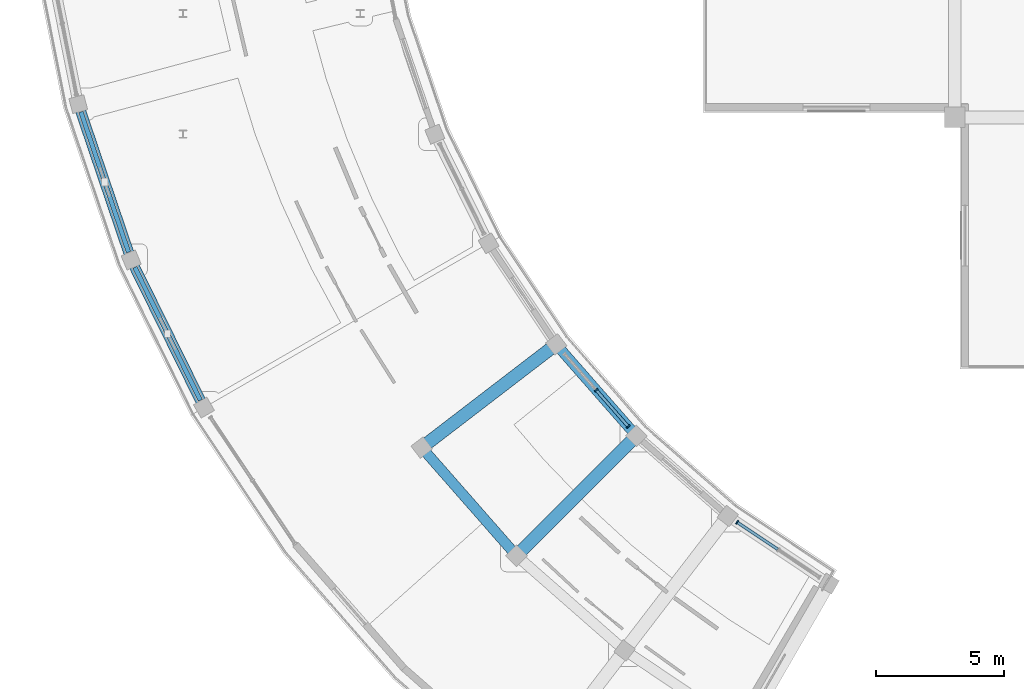
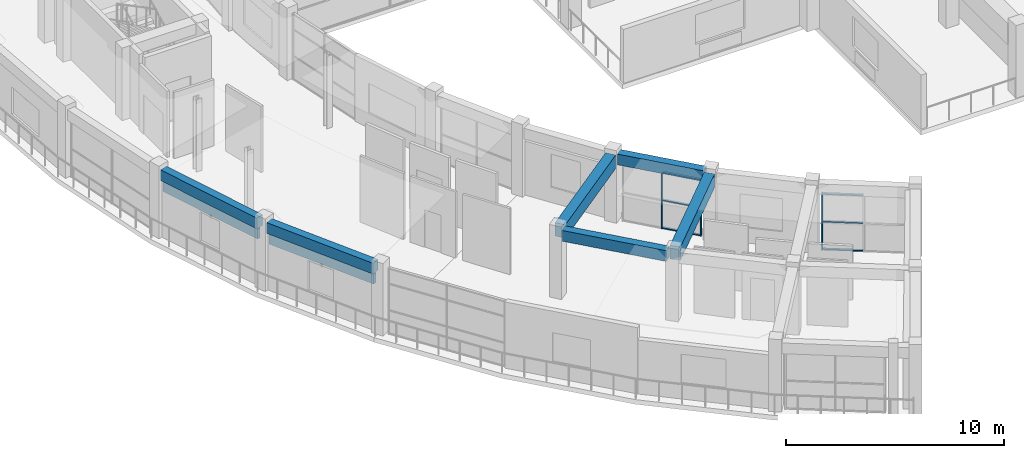
# One storey, part 13 of 70: 11 members, 6 beams, 2 elements without a shape of their own.
"""IFC4 building model written with IfcOpenShell, lengths in metres."""

from ifc_helpers import new_model, si_unit, direction, frame, origin, origin_2d, place, context, subcontext, project, spatial, rectangle, extrude, material, material_profile, profile_set, type_object, element, aggregate, save


model = new_model("IFC4")

# Units and contexts
model_context = context("Model", 3, precision=1e-05, world=origin(), true_north=direction((0.0, 1.0)))
body_context = subcontext(model_context, "Body", "Model", "MODEL_VIEW")
ifc_project = project(units=[si_unit("LENGTHUNIT", "METRE"), si_unit("AREAUNIT", "SQUARE_METRE"), si_unit("VOLUMEUNIT", "CUBIC_METRE"), si_unit("PLANEANGLEUNIT", "RADIAN"), si_unit("MASSUNIT", "GRAM", prefix="KILO")], contexts=[model_context])

# Site, building, storey
site_placement = place(None, origin())
site = spatial("IfcSite", under=ifc_project, at=site_placement, CompositionType="ELEMENT")
building_placement = place(site_placement, origin())
building = spatial("IfcBuilding", under=site, at=building_placement, Name="Saryqyr Civic Hall", CompositionType="ELEMENT")
storey_placement = place(building_placement, frame((0.0, 0.0, 13.199951171875)))
storey = spatial("IfcBuildingStorey", under=building, at=storey_placement, Name="L03", CompositionType="ELEMENT", Elevation=13.199951171875)

# Curtain wall, members
ifc_material_1 = material(Name="Anodised aluminium and triple low-E glass", Category="aluminium")
curtain_wall_type_1 = type_object("IfcCurtainWallType", Name="ENV-CW-STD-27", PredefinedType="NOTDEFINED", material=ifc_material_1)
curtain_wall_1_placement = place(storey_placement, origin())
curtain_wall_1 = element("IfcCurtainWall", 1, at=curtain_wall_1_placement, inside=storey, type_object=curtain_wall_type_1, Name="Curtain wall V4-CWI-L03-07", PredefinedType="NOTDEFINED")
ifc_material_2 = material(Name="Anodised aluminium", Category="aluminium")
ifc_material_profile_1 = material_profile(ifc_material_2, rectangle(XDim=0.06005859375, YDim=0.159912109375, at=origin_2d()), Name="ALU MULLION 60x160")
ifc_profile_set_1 = profile_set([ifc_material_profile_1], Name="Anodised aluminium")
member_type_1 = type_object("IfcMemberType", Name="ENV-CW-MUL-180", PredefinedType="MULLION", material=ifc_profile_set_1)
member_1_placement = place(storey_placement, frame((29.841552734375, 60.182861328125, 0.0), z_axis=(0.0, 0.0, 1.0), x_axis=(0.65933402319, -0.751850148543, 0.0)))
member_1 = element("IfcMember", 2, at=member_1_placement, type_object=member_type_1, Name="CW-27 mullion 2", PredefinedType="MULLION", context=body_context, shape_type="SweptSolid", body=[
    extrude(rectangle(XDim=0.06005859375, YDim=0.159912109375, at=origin_2d()), origin(), (0.0, 0.0, 1.0), 3.1650390625),
])
member_2_placement = place(storey_placement, frame((31.084716796875, 58.76513671875, 0.0), z_axis=(0.0, 0.0, 1.0), x_axis=(0.65933402319, -0.751850148543, 0.0)))
member_2 = element("IfcMember", 3, at=member_2_placement, type_object=member_type_1, Name="CW-27 mullion 3", PredefinedType="MULLION", context=body_context, shape_type="SweptSolid", body=[
    extrude(rectangle(XDim=0.06005859375, YDim=0.159912109375, at=origin_2d()), origin(), (0.0, 0.0, 1.0), 3.1650390625),
])

# Curtain wall, member
curtain_wall_type_2 = type_object("IfcCurtainWallType", Name="ENV-CW-STD-25", PredefinedType="NOTDEFINED", material=ifc_material_1)
curtain_wall_2_placement = place(storey_placement, origin())
curtain_wall_2 = element("IfcCurtainWall", 4, at=curtain_wall_2_placement, inside=storey, type_object=curtain_wall_type_2, Name="Curtain wall V4-CWI-L03-09", PredefinedType="NOTDEFINED")
member_3_placement = place(storey_placement, frame((35.32763671875, 55.03662109375, 0.0), z_axis=(0.0, 0.0, 1.0), x_axis=(0.831480397179, -0.555554091972, 0.0)))
member_3 = element("IfcMember", 5, at=member_3_placement, type_object=member_type_1, Name="CW-25 mullion 1", PredefinedType="MULLION", context=body_context, shape_type="SweptSolid", body=[
    extrude(rectangle(XDim=0.06005859375, YDim=0.159912109375, at=origin_2d()), origin(), (0.0, 0.0, 1.0), 3.1650390625),
])

# Member
ifc_material_profile_2 = material_profile(ifc_material_2, rectangle(XDim=0.1201171875, YDim=0.06005859375, at=origin_2d()), Name="ALU TRANSOM 120x60")
ifc_profile_set_2 = profile_set([ifc_material_profile_2], Name="Anodised aluminium")
member_type_2 = type_object("IfcMemberType", Name="ENV-CW-TRN-150", PredefinedType="USERDEFINED", material=ifc_profile_set_2)
member_4_placement = place(storey_placement, frame((29.861328125, 60.16015625, 0.030029296875), z_axis=(0.659384772878, -0.751805640639, 0.0), x_axis=(0.751805640639, 0.659384772878, 0.0)))
member_4 = element("IfcMember", 6, at=member_4_placement, type_object=member_type_2, Name="CW-27 transom 2.1", ObjectType="TRANSOM", PredefinedType="USERDEFINED", context=body_context, shape_type="SweptSolid", body=[
    extrude(rectangle(XDim=0.1201171875, YDim=0.06005859375, at=origin_2d()), origin(), (0.0, 0.0, 1.0), 1.825439453125),
])

member_5_placement = place(storey_placement, frame((29.861328125, 60.16015625, 1.58203125), z_axis=(0.659384772878, -0.751805640639, 0.0), x_axis=(0.751805640639, 0.659384772878, 0.0)))
member_5 = element("IfcMember", 7, at=member_5_placement, type_object=member_type_2, Name="CW-27 transom 2.2", ObjectType="TRANSOM", PredefinedType="USERDEFINED", context=body_context, shape_type="SweptSolid", body=[
    extrude(rectangle(XDim=0.1201171875, YDim=0.06005859375, at=origin_2d()), origin(), (0.0, 0.0, 1.0), 1.825439453125),
])

member_6_placement = place(storey_placement, frame((29.861328125, 60.16015625, 3.135009765625), z_axis=(0.659384772878, -0.751805640639, 0.0), x_axis=(0.751805640639, 0.659384772878, 0.0)))
member_6 = element("IfcMember", 8, at=member_6_placement, type_object=member_type_2, Name="CW-27 transom 2.3", ObjectType="TRANSOM", PredefinedType="USERDEFINED", context=body_context, shape_type="SweptSolid", body=[
    extrude(rectangle(XDim=0.1201171875, YDim=0.06005859375, at=origin_2d()), origin(), (0.0, 0.0, 1.0), 1.825439453125),
])

aggregate(curtain_wall_1, [member_1, member_2, member_4, member_5, member_6])

member_7_placement = place(storey_placement, frame((35.352783203125, 55.02001953125, 0.030029296875), z_axis=(0.831487045435, -0.555544141607, 0.0), x_axis=(0.555544141607, 0.831487045435, 0.0)))
member_7 = element("IfcMember", 9, at=member_7_placement, type_object=member_type_2, Name="CW-25 transom 1.1", ObjectType="TRANSOM", PredefinedType="USERDEFINED", context=body_context, shape_type="SweptSolid", body=[
    extrude(rectangle(XDim=0.1201171875, YDim=0.06005859375, at=origin_2d()), origin(), (0.0, 0.0, 1.0), 1.86865234375),
])

member_8_placement = place(storey_placement, frame((35.352783203125, 55.02001953125, 1.58203125), z_axis=(0.831487045435, -0.555544141607, 0.0), x_axis=(0.555544141607, 0.831487045435, 0.0)))
member_8 = element("IfcMember", 10, at=member_8_placement, type_object=member_type_2, Name="CW-25 transom 1.2", ObjectType="TRANSOM", PredefinedType="USERDEFINED", context=body_context, shape_type="SweptSolid", body=[
    extrude(rectangle(XDim=0.1201171875, YDim=0.06005859375, at=origin_2d()), origin(), (0.0, 0.0, 1.0), 1.86865234375),
])

member_9_placement = place(storey_placement, frame((35.352783203125, 55.02001953125, 3.135009765625), z_axis=(0.831487045435, -0.555544141607, 0.0), x_axis=(0.555544141607, 0.831487045435, 0.0)))
member_9 = element("IfcMember", 11, at=member_9_placement, type_object=member_type_2, Name="CW-25 transom 1.3", ObjectType="TRANSOM", PredefinedType="USERDEFINED", context=body_context, shape_type="SweptSolid", body=[
    extrude(rectangle(XDim=0.1201171875, YDim=0.06005859375, at=origin_2d()), origin(), (0.0, 0.0, 1.0), 1.86865234375),
])

aggregate(curtain_wall_2, [member_3, member_7, member_8, member_9])

# Members
ifc_material_3 = material(Name="Precast concrete C40/50", Category="concrete")
ifc_material_profile_3 = material_profile(ifc_material_3, rectangle(XDim=0.179931640625, YDim=0.550048828125, at=origin_2d()), Name="PC FIN 180x550")
ifc_profile_set_3 = profile_set([ifc_material_profile_3], Name="Precast concrete C40/50")
member_type_3 = type_object("IfcMemberType", Name="ENV-FIN-PC550", PredefinedType="USERDEFINED", material=ifc_profile_set_3)
for number, where, z_axis, x_axis, name in (
    (12, (9.771728515625, 71.016845703125, 2.820068359375), (0.321449373717, -0.946926765984, 0.0), (0.946926765984, 0.321449373717, 0.0), "Precast horizontal solar brise-soleil fin V4-L03-04"),
    (13, (11.87060546875, 64.96337890625, 2.820068359375), (0.442301802768, -0.89686627502, 0.0), (0.89686627502, 0.442301802768, 0.0), "Precast horizontal solar brise-soleil fin V4-L03-05"),
):
    element("IfcMember", number, at=place(storey_placement, frame(where, z_axis=z_axis, x_axis=x_axis)), inside=storey, type_object=member_type_3, Name=name, ObjectType="SOLAR_FIN", PredefinedType="USERDEFINED", context=body_context, shape_type="SweptSolid", body=[
        extrude(rectangle(XDim=0.179931640625, YDim=0.550048828125, at=origin_2d()), origin(), (0.0, 0.0, 1.0), 5.773681640625),
    ])

# Beams
ifc_material_4 = material(Name="Concrete C35/45", Category="concrete")
ifc_material_profile_4 = material_profile(ifc_material_4, rectangle(XDim=0.39990234375, YDim=0.60009765625, at=origin_2d()), Name="RC 400x600")
ifc_profile_set_4 = profile_set([ifc_material_profile_4], Name="Concrete C35/45")
beam_type_1 = type_object("IfcBeamType", Name="STR-BM-RC400x600", PredefinedType="BEAM", material=ifc_profile_set_4)
beam_1_placement = place(storey_placement, frame((23.225830078125, 57.73828125, 3.489990234375), z_axis=(0.659336163536, -0.751848271564, 0.0), x_axis=(0.751848271564, 0.659336163536, 0.0)))
element("IfcBeam", 14, at=beam_1_placement, inside=storey, type_object=beam_type_1, Name="Beam V4-CBM-MID07-L03", PredefinedType="BEAM", context=body_context, shape_type="SweptSolid", body=[
    extrude(rectangle(XDim=0.39990234375, YDim=0.60009765625, at=origin_2d()), origin(), (0.0, 0.0, 1.0), 5.04833984375),
])
ifc_material_profile_5 = material_profile(ifc_material_4, rectangle(XDim=0.39990234375, YDim=0.60009765625, at=origin_2d()), Name="RC 400x600")
ifc_profile_set_5 = profile_set([ifc_material_profile_5], Name="Concrete C35/45")
beam_type_2 = type_object("IfcBeamType", Name="STR-BM-RC400x600-EXT", PredefinedType="BEAM", material=ifc_profile_set_5)
beam_2_placement = place(storey_placement, frame((9.758056640625, 71.0576171875, 3.489990234375), z_axis=(0.321435116902, -0.946931605567, 0.0), x_axis=(0.946931605567, 0.321435116902, 0.0)))
element("IfcBeam", 15, at=beam_2_placement, inside=storey, type_object=beam_type_2, Name="Beam V4-CBM-OUT04-L03", PredefinedType="BEAM", context=body_context, shape_type="SweptSolid", body=[
    extrude(rectangle(XDim=0.39990234375, YDim=0.60009765625, at=origin_2d()), origin(), (0.0, 0.0, 1.0), 5.85986328125),
])
beam_3_placement = place(storey_placement, frame((11.8515625, 65.001953125, 3.489990234375), z_axis=(0.44227366089, -0.896880153021, 0.0), x_axis=(0.896880153021, 0.44227366089, 0.0)))
element("IfcBeam", 16, at=beam_3_placement, inside=storey, type_object=beam_type_2, Name="Beam V4-CBM-OUT05-L03", PredefinedType="BEAM", context=body_context, shape_type="SweptSolid", body=[
    extrude(rectangle(XDim=0.39990234375, YDim=0.60009765625, at=origin_2d()), origin(), (0.0, 0.0, 1.0), 5.859619140625),
])
beam_4_placement = place(storey_placement, frame((28.4619140625, 61.756103515625, 3.489990234375), z_axis=(0.659363203996, -0.751824557471, 0.0), x_axis=(0.751824557471, 0.659363203996, 0.0)))
element("IfcBeam", 17, at=beam_4_placement, inside=storey, type_object=beam_type_2, Name="Beam V4-CBM-IN07-L03", PredefinedType="BEAM", context=body_context, shape_type="SweptSolid", body=[
    extrude(rectangle(XDim=0.39990234375, YDim=0.60009765625, at=origin_2d()), origin(), (0.0, 0.0, 1.0), 4.18505859375),
])
ifc_material_5 = material(Name="Concrete C40/50", Category="concrete")
ifc_material_profile_6 = material_profile(ifc_material_5, rectangle(XDim=0.5, YDim=0.75, at=origin_2d()), Name="RC 500x750")
ifc_profile_set_6 = profile_set([ifc_material_profile_6], Name="Concrete C40/50")
beam_type_3 = type_object("IfcBeamType", Name="STR-BM-RC500x750", PredefinedType="BEAM", material=ifc_profile_set_6)
beam_5_placement = place(storey_placement, frame((28.0625, 61.79541015625, 3.4150390625), z_axis=(-0.793346491431, -0.608770354513, 0.0), x_axis=(0.608770354513, -0.793346491431, 0.0)))
element("IfcBeam", 18, at=beam_5_placement, inside=storey, type_object=beam_type_3, Name="Beam V4-RBM-A07-L03", PredefinedType="BEAM", context=body_context, shape_type="SweptSolid", body=[
    extrude(rectangle(XDim=0.5, YDim=0.75, at=origin_2d()), origin(), (0.0, 0.0, 1.0), 6.050048828125),
])
beam_6_placement = place(storey_placement, frame((31.208251953125, 58.208251953125, 3.4150390625), z_axis=(-0.707106781187, -0.707106781187, 0.0), x_axis=(0.707106781187, -0.707106781187, 0.0)))
element("IfcBeam", 19, at=beam_6_placement, inside=storey, type_object=beam_type_3, Name="Beam V4-RBM-A08-L03", PredefinedType="BEAM", context=body_context, shape_type="SweptSolid", body=[
    extrude(rectangle(XDim=0.5, YDim=0.75, at=origin_2d()), origin(), (0.0, 0.0, 1.0), 6.0498046875),
])

save(model, "model.ifc")
